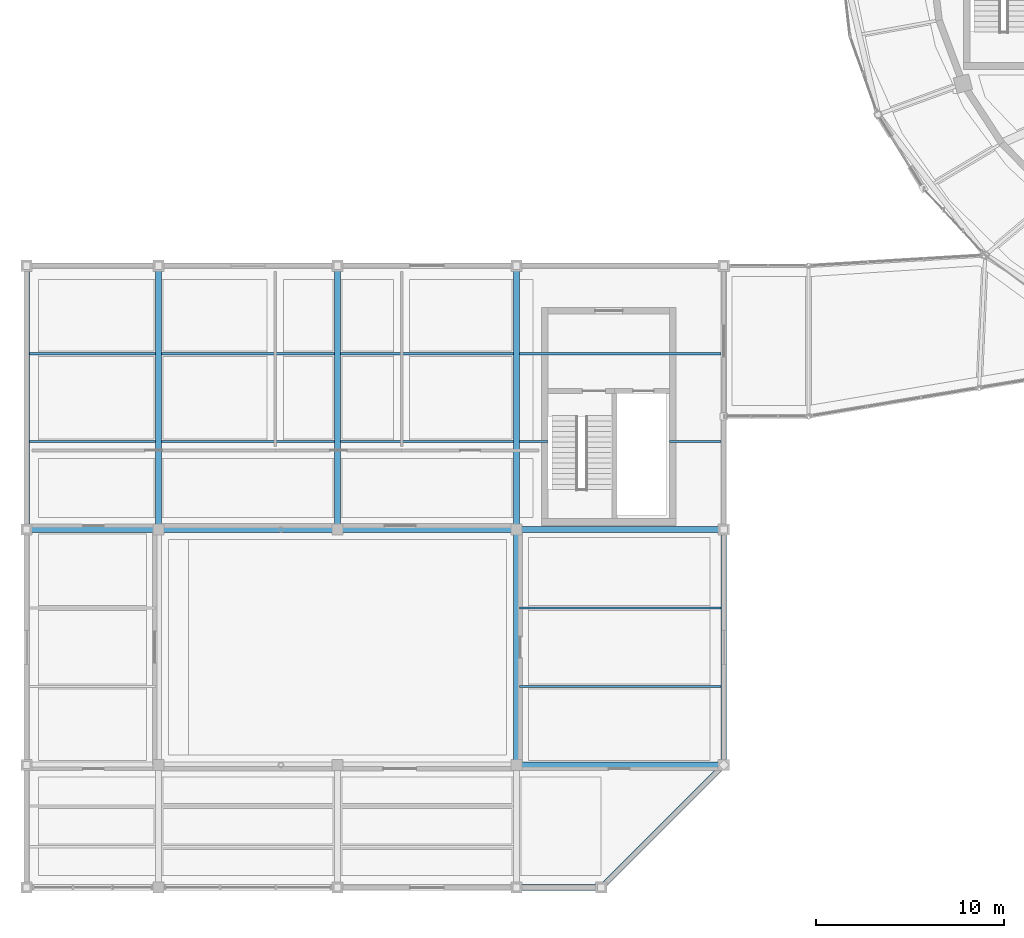
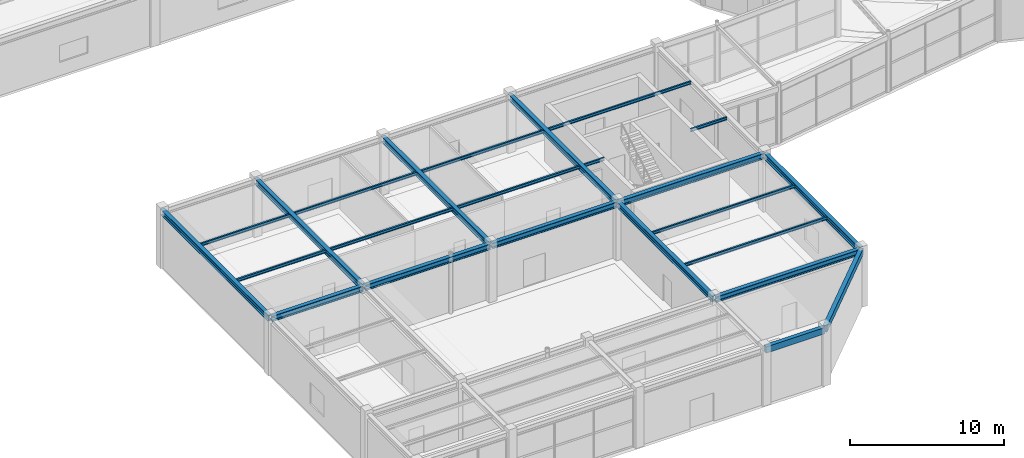
# One storey, part 23 of 108: 24 beams.
"""IFC4 building model written with IfcOpenShell, lengths in metres."""

from ifc_helpers import new_model, si_unit, direction, frame, origin, origin_2d, place, context, subcontext, project, spatial, rectangle, i_section, extrude, material, material_profile, profile_set, type_object, element, save


model = new_model("IFC4")

# Units and contexts
model_context = context("Model", 3, precision=1e-05, world=origin(), true_north=direction((0.0, 1.0)))
body_context = subcontext(model_context, "Body", "Model", "MODEL_VIEW")
ifc_project = project(units=[si_unit("LENGTHUNIT", "METRE"), si_unit("AREAUNIT", "SQUARE_METRE"), si_unit("VOLUMEUNIT", "CUBIC_METRE"), si_unit("PLANEANGLEUNIT", "RADIAN"), si_unit("MASSUNIT", "GRAM", prefix="KILO")], contexts=[model_context])

# Site, building, storey
site_placement = place(None, origin())
site = spatial("IfcSite", under=ifc_project, at=site_placement, CompositionType="ELEMENT")
building_placement = place(site_placement, origin())
building = spatial("IfcBuilding", under=site, at=building_placement, Name="Tarnveldt Headland Concert Hall", CompositionType="ELEMENT")
storey_placement = place(building_placement, origin())
storey = spatial("IfcBuildingStorey", under=building, at=storey_placement, Name="L00", CompositionType="ELEMENT", Elevation=0.0)

# Beams
ifc_material_1 = material(Name="Steel S355", Category="steel")
ifc_material_profile_1 = material_profile(ifc_material_1, i_section(OverallWidth=0.300048828125, OverallDepth=0.449951171875, WebThickness=0.013916015625, FlangeThickness=0.02587890625, FilletRadius=0.027099609375, at=origin_2d()), Name="HEB450", Category="steel")
ifc_profile_set_1 = profile_set([ifc_material_profile_1], Name="Steel S355")
beam_type_1 = type_object("IfcBeamType", Name="SB-HEB450", PredefinedType="BEAM", material=ifc_profile_set_1)
beam_1_placement = place(storey_placement, frame((33.550048828125, 11.5, 4.294921875), z_axis=(1.0, 0.0, 0.0), x_axis=(0.0, 1.0, 0.0)))
element("IfcBeam", 1, at=beam_1_placement, inside=storey, type_object=beam_type_1, Name="Framing beam L00-560", PredefinedType="BEAM", context=body_context, shape_type="SweptSolid", body=[
    extrude(i_section(OverallWidth=0.300048828125, OverallDepth=0.449951171875, WebThickness=0.013916015625, FlangeThickness=0.02587890625, FilletRadius=0.027099609375, at=origin_2d()), origin(), (0.0, 0.0, 1.0), 10.89990234375),
])
beam_2_placement = place(storey_placement, frame((7.550048828125, 24.0, 4.294921875), z_axis=(1.0, 0.0, 0.0), x_axis=(0.0, 1.0, 0.0)))
element("IfcBeam", 2, at=beam_2_placement, inside=storey, type_object=beam_type_1, Name="Framing beam L00-561", PredefinedType="BEAM", context=body_context, shape_type="SweptSolid", body=[
    extrude(i_section(OverallWidth=0.300048828125, OverallDepth=0.449951171875, WebThickness=0.013916015625, FlangeThickness=0.02587890625, FilletRadius=0.027099609375, at=origin_2d()), origin(), (0.0, 0.0, 1.0), 6.89990234375),
])
for number, where, z_axis, x_axis, name in (
    (3, (14.550048828125, 24.0, 4.294921875), (1.0, 0.0, 0.0), (0.0, 1.0, 0.0), "Framing beam L00-562"),
    (4, (24.050048828125, 24.0, 4.294921875), (1.0, 0.0, 0.0), (0.0, 1.0, 0.0), "Framing beam L00-563"),
):
    element("IfcBeam", number, at=place(storey_placement, frame(where, z_axis=z_axis, x_axis=x_axis)), inside=storey, type_object=beam_type_1, Name=name, PredefinedType="BEAM", context=body_context, shape_type="SweptSolid", body=[
        extrude(i_section(OverallWidth=0.300048828125, OverallDepth=0.449951171875, WebThickness=0.013916015625, FlangeThickness=0.02587890625, FilletRadius=0.027099609375, at=origin_2d()), origin(), (0.0, 0.0, 1.0), 9.39990234375),
    ])
beam_3_placement = place(storey_placement, frame((33.550048828125, 24.0, 4.294921875), z_axis=(1.0, 0.0, 0.0), x_axis=(0.0, 1.0, 0.0)))
element("IfcBeam", 5, at=beam_3_placement, inside=storey, type_object=beam_type_1, Name="Framing beam L00-564", PredefinedType="BEAM", context=body_context, shape_type="SweptSolid", body=[
    extrude(i_section(OverallWidth=0.300048828125, OverallDepth=0.449951171875, WebThickness=0.013916015625, FlangeThickness=0.02587890625, FilletRadius=0.027099609375, at=origin_2d()), origin(), (0.0, 0.0, 1.0), 10.89990234375),
])
for number, where, z_axis, x_axis, name in (
    (6, (7.5, 24.050048828125, 4.294921875), (0.0, 1.0, 0.0), (-1.0, 0.0, 0.0), "Framing beam L00-575"),
    (7, (14.5, 24.050048828125, 4.294921875), (0.0, 1.0, 0.0), (-1.0, 0.0, 0.0), "Framing beam L00-582"),
    (8, (24.0, 24.050048828125, 4.294921875), (0.0, 1.0, 0.0), (-1.0, 0.0, 0.0), "Framing beam L00-588"),
):
    element("IfcBeam", number, at=place(storey_placement, frame(where, z_axis=z_axis, x_axis=x_axis)), inside=storey, type_object=beam_type_1, Name=name, PredefinedType="BEAM", context=body_context, shape_type="SweptSolid", body=[
        extrude(i_section(OverallWidth=0.300048828125, OverallDepth=0.449951171875, WebThickness=0.013916015625, FlangeThickness=0.02587890625, FilletRadius=0.027099609375, at=origin_2d()), origin(), (0.0, 0.0, 1.0), 13.89990234375),
    ])
beam_4_placement = place(storey_placement, frame((33.5, 11.550048828125, 4.294921875), z_axis=(0.0, 1.0, 0.0), x_axis=(-1.0, 0.0, 0.0)))
element("IfcBeam", 9, at=beam_4_placement, inside=storey, type_object=beam_type_1, Name="Framing beam L00-592", PredefinedType="BEAM", context=body_context, shape_type="SweptSolid", body=[
    extrude(i_section(OverallWidth=0.300048828125, OverallDepth=0.449951171875, WebThickness=0.013916015625, FlangeThickness=0.02587890625, FilletRadius=0.027099609375, at=origin_2d()), origin(), (0.0, 0.0, 1.0), 12.39990234375),
])
beam_5_placement = place(storey_placement, frame((33.5, 24.050048828125, 4.294921875), z_axis=(0.0, 1.0, 0.0), x_axis=(-1.0, 0.0, 0.0)))
element("IfcBeam", 10, at=beam_5_placement, inside=storey, type_object=beam_type_1, Name="Framing beam L00-595", PredefinedType="BEAM", context=body_context, shape_type="SweptSolid", body=[
    extrude(i_section(OverallWidth=0.300048828125, OverallDepth=0.449951171875, WebThickness=0.013916015625, FlangeThickness=0.02587890625, FilletRadius=0.027099609375, at=origin_2d()), origin(), (0.0, 0.0, 1.0), 13.89990234375),
])
beam_6_placement = place(storey_placement, frame((44.5, 11.550048828125, 4.294921875), z_axis=(0.0, 1.0, 0.0), x_axis=(-1.0, 0.0, 0.0)))
element("IfcBeam", 11, at=beam_6_placement, inside=storey, type_object=beam_type_1, Name="Framing beam L00-599", PredefinedType="BEAM", context=body_context, shape_type="SweptSolid", body=[
    extrude(i_section(OverallWidth=0.300048828125, OverallDepth=0.449951171875, WebThickness=0.013916015625, FlangeThickness=0.02587890625, FilletRadius=0.027099609375, at=origin_2d()), origin(), (0.0, 0.0, 1.0), 12.39990234375),
])
ifc_material_profile_2 = material_profile(ifc_material_1, i_section(OverallWidth=0.1201171875, OverallDepth=0.239990234375, WebThickness=0.006103515625, FlangeThickness=0.009765625, FilletRadius=0.014892578125, at=origin_2d()), Name="IPE240", Category="steel")
ifc_profile_set_2 = profile_set([ifc_material_profile_2], Name="Steel S355")
beam_type_2 = type_object("IfcBeamType", Name="SB-IPE240", PredefinedType="JOIST", material=ifc_profile_set_2)
for number, where, z_axis, x_axis, name in (
    (12, (7.64990234375, 28.6669921875, 4.39990234375), (1.0, 0.0, 0.0), (0.0, 1.0, 0.0), "Framing beam L00-576"),
    (13, (7.64990234375, 33.3330078125, 4.39990234375), (1.0, 0.0, 0.0), (0.0, 1.0, 0.0), "Framing beam L00-577"),
):
    element("IfcBeam", number, at=place(storey_placement, frame(where, z_axis=z_axis, x_axis=x_axis)), inside=storey, type_object=beam_type_2, Name=name, PredefinedType="JOIST", context=body_context, shape_type="SweptSolid", body=[
        extrude(i_section(OverallWidth=0.1201171875, OverallDepth=0.239990234375, WebThickness=0.006103515625, FlangeThickness=0.009765625, FilletRadius=0.014892578125, at=origin_2d()), origin(), (0.0, 0.0, 1.0), 6.7001953125),
    ])
for number, where, z_axis, x_axis, name in (
    (14, (14.64990234375, 28.6669921875, 4.39990234375), (1.0, 0.0, 0.0), (0.0, 1.0, 0.0), "Framing beam L00-583"),
    (15, (14.64990234375, 33.3330078125, 4.39990234375), (1.0, 0.0, 0.0), (0.0, 1.0, 0.0), "Framing beam L00-584"),
    (16, (24.14990234375, 28.6669921875, 4.39990234375), (1.0, 0.0, 0.0), (0.0, 1.0, 0.0), "Framing beam L00-589"),
    (17, (24.14990234375, 33.3330078125, 4.39990234375), (1.0, 0.0, 0.0), (0.0, 1.0, 0.0), "Framing beam L00-590"),
):
    element("IfcBeam", number, at=place(storey_placement, frame(where, z_axis=z_axis, x_axis=x_axis)), inside=storey, type_object=beam_type_2, Name=name, PredefinedType="JOIST", context=body_context, shape_type="SweptSolid", body=[
        extrude(i_section(OverallWidth=0.1201171875, OverallDepth=0.239990234375, WebThickness=0.006103515625, FlangeThickness=0.009765625, FilletRadius=0.014892578125, at=origin_2d()), origin(), (0.0, 0.0, 1.0), 9.2001953125),
    ])
for number, where, z_axis, x_axis, name in (
    (18, (33.64990234375, 15.6669921875, 4.39990234375), (1.0, 0.0, 0.0), (0.0, 1.0, 0.0), "Framing beam L00-593"),
    (19, (33.64990234375, 19.8330078125, 4.39990234375), (1.0, 0.0, 0.0), (0.0, 1.0, 0.0), "Framing beam L00-594"),
):
    element("IfcBeam", number, at=place(storey_placement, frame(where, z_axis=z_axis, x_axis=x_axis)), inside=storey, type_object=beam_type_2, Name=name, PredefinedType="JOIST", context=body_context, shape_type="SweptSolid", body=[
        extrude(i_section(OverallWidth=0.1201171875, OverallDepth=0.239990234375, WebThickness=0.006103515625, FlangeThickness=0.009765625, FilletRadius=0.014892578125, at=origin_2d()), origin(), (0.0, 0.0, 1.0), 10.7001953125),
    ])
beam_7_placement = place(storey_placement, frame((33.64990234375, 28.6669921875, 4.39990234375), z_axis=(1.0, 0.0, 0.0), x_axis=(0.0, 1.0, 0.0)))
element("IfcBeam", 20, at=beam_7_placement, inside=storey, type_object=beam_type_2, Name="Framing beam L00-596", PredefinedType="JOIST", context=body_context, shape_type="SweptSolid", body=[
    extrude(i_section(OverallWidth=0.1201171875, OverallDepth=0.239990234375, WebThickness=0.006103515625, FlangeThickness=0.009765625, FilletRadius=0.014892578125, at=origin_2d()), origin(), (0.0, 0.0, 1.0), 1.530029296875),
])
beam_8_placement = place(storey_placement, frame((41.6201171875, 28.6669921875, 4.39990234375), z_axis=(1.0, 0.0, 0.0), x_axis=(0.0, 1.0, 0.0)))
element("IfcBeam", 21, at=beam_8_placement, inside=storey, type_object=beam_type_2, Name="Framing beam L00-597", PredefinedType="JOIST", context=body_context, shape_type="SweptSolid", body=[
    extrude(i_section(OverallWidth=0.1201171875, OverallDepth=0.239990234375, WebThickness=0.006103515625, FlangeThickness=0.009765625, FilletRadius=0.014892578125, at=origin_2d()), origin(), (0.0, 0.0, 1.0), 2.72998046875),
])
beam_9_placement = place(storey_placement, frame((33.64990234375, 33.3330078125, 4.39990234375), z_axis=(1.0, 0.0, 0.0), x_axis=(0.0, 1.0, 0.0)))
element("IfcBeam", 22, at=beam_9_placement, inside=storey, type_object=beam_type_2, Name="Framing beam L00-598", PredefinedType="JOIST", context=body_context, shape_type="SweptSolid", body=[
    extrude(i_section(OverallWidth=0.1201171875, OverallDepth=0.239990234375, WebThickness=0.006103515625, FlangeThickness=0.009765625, FilletRadius=0.014892578125, at=origin_2d()), origin(), (0.0, 0.0, 1.0), 10.7001953125),
])
ifc_material_2 = material(Name="Concrete C40/50", Category="concrete")
ifc_material_profile_3 = material_profile(ifc_material_2, rectangle(XDim=0.300048828125, YDim=0.5, at=origin_2d()), Name="RC SPANDREL 300x500", Category="concrete")
ifc_profile_set_3 = profile_set([ifc_material_profile_3], Name="Concrete C40/50")
beam_type_3 = type_object("IfcBeamType", Name="SP-300x500", PredefinedType="SPANDREL", material=ifc_profile_set_3)
beam_10_placement = place(storey_placement, frame((33.5400390625, 5.0, 4.27001953125), z_axis=(1.0, 0.0, 0.0), x_axis=(0.0, 1.0, 0.0)))
element("IfcBeam", 23, at=beam_10_placement, inside=storey, type_object=beam_type_3, Name="Framing beam L00-555", PredefinedType="SPANDREL", context=body_context, shape_type="SweptSolid", body=[
    extrude(rectangle(XDim=0.300048828125, YDim=0.5, at=origin_2d()), origin(), (0.0, 0.0, 1.0), 4.419921875),
])
beam_11_placement = place(storey_placement, frame((38.0283203125, 5.0283203125, 4.27001953125), z_axis=(0.707106781187, 0.707106781187, 0.0), x_axis=(-0.707106781187, 0.707106781187, 0.0)))
element("IfcBeam", 24, at=beam_11_placement, inside=storey, type_object=beam_type_3, Name="Framing beam L00-556", PredefinedType="SPANDREL", context=body_context, shape_type="SweptSolid", body=[
    extrude(rectangle(XDim=0.300048828125, YDim=0.5, at=origin_2d()), origin(), (0.0, 0.0, 1.0), 9.1123046875),
])

save(model, "model.ifc")
